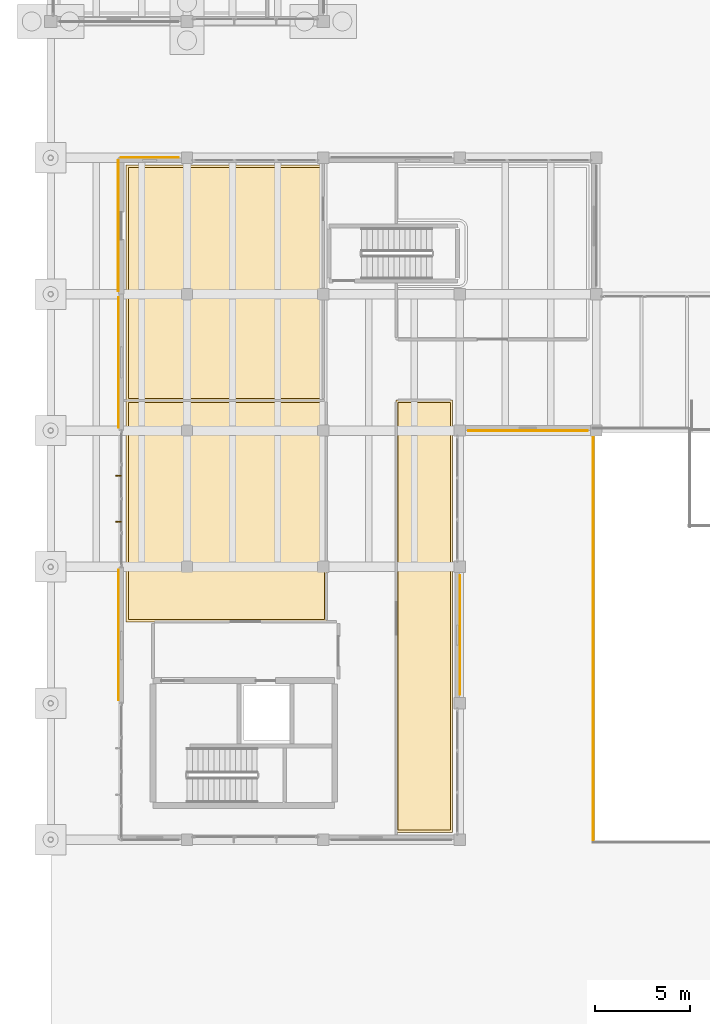
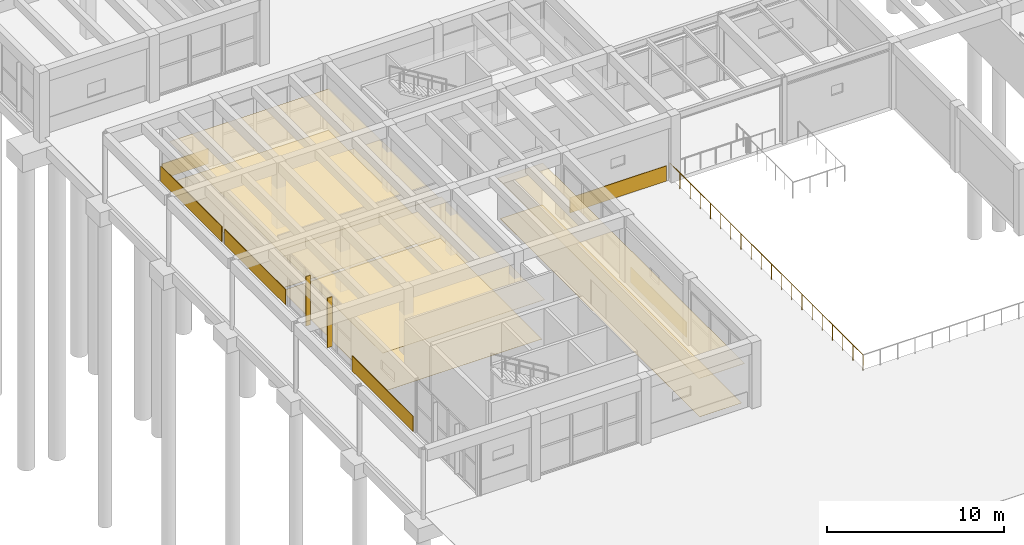
# One storey, part 133 of 155: 12 coverings, 2 shading devices, 1 railing.
"""IFC4 building model written with IfcOpenShell, lengths in metres."""

from ifc_helpers import new_model, si_unit, direction, frame, origin, origin_2d, place, context, subcontext, project, spatial, polyline, rectangle, circle, outline, extrude, material, layer, layer_set, type_object, element, save


model = new_model("IFC4")

# Units and contexts
model_context = context("Model", 3, precision=1e-05, world=origin(), true_north=direction((0.0, 1.0)))
body_context = subcontext(model_context, "Body", "Model", "MODEL_VIEW")
ifc_project = project(units=[si_unit("LENGTHUNIT", "METRE"), si_unit("AREAUNIT", "SQUARE_METRE"), si_unit("VOLUMEUNIT", "CUBIC_METRE"), si_unit("PLANEANGLEUNIT", "RADIAN"), si_unit("MASSUNIT", "GRAM", prefix="KILO")], contexts=[model_context])

# Site, building, storey
site_placement = place(None, origin())
site = spatial("IfcSite", under=ifc_project, at=site_placement, CompositionType="ELEMENT")
building_placement = place(site_placement, origin())
building = spatial("IfcBuilding", under=site, at=building_placement, Name="Bramvelor Terrace Health Centre", CompositionType="ELEMENT")
storey_placement = place(building_placement, origin())
storey = spatial("IfcBuildingStorey", under=building, at=storey_placement, Name="L01", CompositionType="ELEMENT", Elevation=0.0)

# Coverings
ifc_material_1 = material(Name="Honed volcanic tuff rainscreen stone", Category="masonry")
ifc_layer_1 = layer(ifc_material_1, 0.0400390625)
ifc_layer_set_1 = layer_set([ifc_layer_1], Name="Honed volcanic tuff rainscreen stone")
covering_type_1 = type_object("IfcCoveringType", Name="COV-CLAD-TUF", PredefinedType="CLADDING", material=ifc_layer_set_1)
covering_1_placement = place(storey_placement, frame((25.199951171875, 50.385009765625, 0.02490234375), z_axis=(0.0, 0.0, 1.0), x_axis=(1.0, 0.0, 0.0)))
element("IfcCovering", 1, at=covering_1_placement, inside=storey, type_object=covering_type_1, Name="L01 Volcanic Tuff Rainscreen Spandrel 1", PredefinedType="CLADDING", context=body_context, shape_type="SweptSolid", body=[
    extrude(rectangle(XDim=6.31005859375, YDim=0.0400390625, at=origin_2d()), origin(), (0.0, 0.0, 1.0), 1.050048828125),
])
covering_2_placement = place(storey_placement, frame((21.614990234375, 39.60009765625, 0.02490234375), z_axis=(0.0, 0.0, 1.0), x_axis=(1.0, 0.0, 0.0)))
element("IfcCovering", 2, at=covering_2_placement, inside=storey, type_object=covering_type_1, Name="L01 Volcanic Tuff Rainscreen Spandrel 2", PredefinedType="CLADDING", context=body_context, shape_type="SweptSolid", body=[
    extrude(rectangle(XDim=0.0400390625, YDim=6.31005859375, at=origin_2d()), origin(), (0.0, 0.0, 1.0), 1.050048828125),
])
for number, where, z_axis, x_axis, name in (
    (3, (3.5849609375, 39.60009765625, 0.02490234375), (0.0, 0.0, 1.0), (1.0, 0.0, 0.0), "L01 Volcanic Tuff Rainscreen Spandrel 5"),
    (4, (3.5849609375, 54.0, 0.02490234375), (0.0, 0.0, 1.0), (1.0, 0.0, 0.0), "L01 Volcanic Tuff Rainscreen Spandrel 6"),
):
    element("IfcCovering", number, at=place(storey_placement, frame(where, z_axis=z_axis, x_axis=x_axis)), inside=storey, type_object=covering_type_1, Name=name, PredefinedType="CLADDING", context=body_context, shape_type="SweptSolid", body=[
        extrude(rectangle(XDim=0.0400390625, YDim=6.89990234375, at=origin_2d()), origin(), (0.0, 0.0, 1.0), 1.050048828125),
    ])
covering_3_placement = place(storey_placement, frame((3.570068359375, 61.2099609375, 0.02490234375), z_axis=(0.0, 0.0, 1.0), x_axis=(1.0, 0.0, 0.0)))
element("IfcCovering", 5, at=covering_3_placement, inside=storey, type_object=covering_type_1, Name="L01 Volcanic Tuff Rainscreen Spandrel 7", PredefinedType="CLADDING", context=body_context, shape_type="SweptSolid", body=[
    extrude(rectangle(XDim=0.0400390625, YDim=6.919921875, at=origin_2d()), origin(), (0.0, 0.0, 1.0), 1.050048828125),
])
covering_4_placement = place(storey_placement, frame((5.232421875, 64.81494140625, 0.02490234375), z_axis=(0.0, 0.0, 1.0), x_axis=(1.0, 0.0, 0.0)))
element("IfcCovering", 6, at=covering_4_placement, inside=storey, type_object=covering_type_1, Name="L01 Volcanic Tuff Rainscreen Spandrel 8", PredefinedType="CLADDING", context=body_context, shape_type="SweptSolid", body=[
    extrude(rectangle(XDim=3.044921875, YDim=0.0400390625, at=origin_2d()), origin(), (0.0, 0.0, 1.0), 1.050048828125),
])
ifc_material_2 = material(Name="Hygienic mineral-fibre acoustic ceiling", Category="gypsum")
ifc_layer_2 = layer(ifc_material_2, 0.02001953125)
ifc_layer_set_2 = layer_set([ifc_layer_2], Name="Hygienic mineral-fibre acoustic ceiling")
covering_type_2 = type_object("IfcCoveringType", Name="COV-CLG-ACT", PredefinedType="CEILING", material=ifc_layer_set_2)
covering_5_placement = place(storey_placement, frame((0.0, 0.0, 2.75)))
element("IfcCovering", 7, at=covering_5_placement, inside=storey, type_object=covering_type_2, Name="L01 Outpatient Pharmacy Dispensary Acoustic Ceiling", PredefinedType="CEILING", context=body_context, shape_type="SweptSolid", body=[
    extrude(outline(polyline([(3.97998046875, 51.989990234375), (3.97998046875, 51.991943359375), (3.98046875, 51.993896484375), (3.98095703125, 51.995849609375), (3.9814453125, 51.997802734375), (3.982421875, 51.99951171875), (3.9833984375, 52.001220703125), (3.984619140625, 52.002685546875), (3.98583984375, 52.004150390625), (3.9873046875, 52.005615234375), (3.989013671875, 52.006591796875), (3.990478515625, 52.007568359375), (3.9921875, 52.008544921875), (3.994140625, 52.009033203125), (3.99609375, 52.009521484375), (3.998046875, 52.010009765625), (4.0, 52.010009765625), (14.55810546875, 52.010009765625), (14.56005859375, 52.010009765625), (14.56201171875, 52.009521484375), (14.563720703125, 52.009033203125), (14.565673828125, 52.008544921875), (14.5673828125, 52.007568359375), (14.569091796875, 52.006591796875), (14.57080078125, 52.005615234375), (14.572021484375, 52.004150390625), (14.573486328125, 52.002685546875), (14.57470703125, 52.001220703125), (14.57568359375, 51.99951171875), (14.576416015625, 51.997802734375), (14.5771484375, 51.995849609375), (14.57763671875, 51.993896484375), (14.577880859375, 51.991943359375), (14.577880859375, 51.989990234375), (14.577880859375, 40.31005859375), (14.577880859375, 40.30810546875), (14.57763671875, 40.30615234375), (14.5771484375, 40.30419921875), (14.576416015625, 40.30224609375), (14.57568359375, 40.300537109375), (14.57470703125, 40.298828125), (14.573486328125, 40.29736328125), (14.572021484375, 40.2958984375), (14.57080078125, 40.29443359375), (14.569091796875, 40.29345703125), (14.5673828125, 40.29248046875), (14.565673828125, 40.29150390625), (14.563720703125, 40.291015625), (14.56201171875, 40.290283203125), (14.56005859375, 40.2900390625), (14.55810546875, 40.2900390625), (4.0, 40.2900390625), (3.998046875, 40.2900390625), (3.99609375, 40.290283203125), (3.994140625, 40.291015625), (3.9921875, 40.29150390625), (3.990478515625, 40.29248046875), (3.989013671875, 40.29345703125), (3.9873046875, 40.29443359375), (3.98583984375, 40.2958984375), (3.984619140625, 40.29736328125), (3.9833984375, 40.298828125), (3.982421875, 40.300537109375), (3.9814453125, 40.30224609375), (3.98095703125, 40.30419921875), (3.98046875, 40.30615234375), (3.97998046875, 40.30810546875), (3.97998046875, 40.31005859375), (3.97998046875, 51.989990234375)])), origin(), (0.0, 0.0, 1.0), 0.02001953125),
])
covering_6_placement = place(storey_placement, frame((0.0, 0.0, 2.75)))
element("IfcCovering", 8, at=covering_6_placement, inside=storey, type_object=covering_type_2, Name="L01 Clinical Immunization Dispensary Acoustic Ceiling", PredefinedType="CEILING", context=body_context, shape_type="SweptSolid", body=[
    extrude(outline(polyline([(3.97998046875, 64.39990234375), (3.97998046875, 64.402099609375), (3.98046875, 64.40380859375), (3.98095703125, 64.40576171875), (3.9814453125, 64.40771484375), (3.982421875, 64.409423828125), (3.9833984375, 64.4111328125), (3.984619140625, 64.41259765625), (3.98583984375, 64.4140625), (3.9873046875, 64.41552734375), (3.989013671875, 64.41650390625), (3.990478515625, 64.41748046875), (3.9921875, 64.41845703125), (3.994140625, 64.419189453125), (3.99609375, 64.419677734375), (3.998046875, 64.419921875), (4.0, 64.419921875), (14.39990234375, 64.419921875), (14.402099609375, 64.419921875), (14.40380859375, 64.419677734375), (14.40576171875, 64.419189453125), (14.40771484375, 64.41845703125), (14.409423828125, 64.41748046875), (14.4111328125, 64.41650390625), (14.41259765625, 64.41552734375), (14.4140625, 64.4140625), (14.41552734375, 64.41259765625), (14.41650390625, 64.4111328125), (14.41748046875, 64.409423828125), (14.41845703125, 64.40771484375), (14.419189453125, 64.40576171875), (14.419677734375, 64.40380859375), (14.419921875, 64.402099609375), (14.419921875, 64.39990234375), (14.419921875, 52.0), (14.419921875, 51.998046875), (14.419677734375, 51.99609375), (14.419189453125, 51.994140625), (14.41845703125, 51.9921875), (14.41748046875, 51.990478515625), (14.41650390625, 51.989013671875), (14.41552734375, 51.9873046875), (14.4140625, 51.98583984375), (14.41259765625, 51.984619140625), (14.4111328125, 51.9833984375), (14.409423828125, 51.982421875), (14.40771484375, 51.9814453125), (14.40576171875, 51.98095703125), (14.40380859375, 51.98046875), (14.402099609375, 51.97998046875), (14.39990234375, 51.97998046875), (4.0, 51.97998046875), (3.998046875, 51.97998046875), (3.99609375, 51.98046875), (3.994140625, 51.98095703125), (3.9921875, 51.9814453125), (3.990478515625, 51.982421875), (3.989013671875, 51.9833984375), (3.9873046875, 51.984619140625), (3.98583984375, 51.98583984375), (3.984619140625, 51.9873046875), (3.9833984375, 51.989013671875), (3.982421875, 51.990478515625), (3.9814453125, 51.9921875), (3.98095703125, 51.994140625), (3.98046875, 51.99609375), (3.97998046875, 51.998046875), (3.97998046875, 52.0), (3.97998046875, 64.39990234375)])), origin(), (0.0, 0.0, 1.0), 0.02001953125),
])
covering_7_placement = place(storey_placement, frame((0.0, 0.0, 2.75)))
element("IfcCovering", 9, at=covering_7_placement, inside=storey, type_object=covering_type_2, Name="L01 Pharmacy Medication Counselling Room Acoustic Ceiling", PredefinedType="CEILING", context=body_context, shape_type="SweptSolid", body=[
    extrude(outline(polyline([(21.199951171875, 52.010009765625), (21.201904296875, 52.010009765625), (21.203857421875, 52.009521484375), (21.205810546875, 52.009033203125), (21.207763671875, 52.008544921875), (21.20947265625, 52.007568359375), (21.211181640625, 52.006591796875), (21.212646484375, 52.005615234375), (21.214111328125, 52.004150390625), (21.215576171875, 52.002685546875), (21.216552734375, 52.001220703125), (21.217529296875, 51.99951171875), (21.218505859375, 51.997802734375), (21.218994140625, 51.995849609375), (21.219482421875, 51.993896484375), (21.219970703125, 51.991943359375), (21.219970703125, 51.989990234375), (21.219970703125, 29.199951171875), (21.219970703125, 29.197998046875), (21.219482421875, 29.196044921875), (21.218994140625, 29.194091796875), (21.218505859375, 29.1923828125), (21.217529296875, 29.190673828125), (21.216552734375, 29.18896484375), (21.215576171875, 29.187255859375), (21.214111328125, 29.185791015625), (21.212646484375, 29.1845703125), (21.211181640625, 29.183349609375), (21.20947265625, 29.182373046875), (21.207763671875, 29.181396484375), (21.205810546875, 29.180908203125), (21.203857421875, 29.180419921875), (21.201904296875, 29.18017578125), (21.199951171875, 29.179931640625), (18.251953125, 29.179931640625), (18.25, 29.18017578125), (18.248046875, 29.180419921875), (18.24609375, 29.180908203125), (18.244384765625, 29.181396484375), (18.24267578125, 29.182373046875), (18.240966796875, 29.183349609375), (18.2392578125, 29.1845703125), (18.23779296875, 29.185791015625), (18.236572265625, 29.187255859375), (18.2353515625, 29.18896484375), (18.234375, 29.190673828125), (18.2333984375, 29.1923828125), (18.23291015625, 29.194091796875), (18.232421875, 29.196044921875), (18.232177734375, 29.197998046875), (18.23193359375, 29.199951171875), (18.23193359375, 51.989990234375), (18.232177734375, 51.991943359375), (18.232421875, 51.993896484375), (18.23291015625, 51.995849609375), (18.2333984375, 51.997802734375), (18.234375, 51.99951171875), (18.2353515625, 52.001220703125), (18.236572265625, 52.002685546875), (18.23779296875, 52.004150390625), (18.2392578125, 52.005615234375), (18.240966796875, 52.006591796875), (18.24267578125, 52.007568359375), (18.244384765625, 52.008544921875), (18.24609375, 52.009033203125), (18.248046875, 52.009521484375), (18.25, 52.010009765625), (18.251953125, 52.010009765625), (21.199951171875, 52.010009765625)])), origin(), (0.0, 0.0, 1.0), 0.02001953125),
])
ifc_material_3 = material(Name="Seamless antimicrobial clinical vinyl", Category="polymer")
ifc_layer_3 = layer(ifc_material_3, 0.008056640625)
ifc_layer_set_3 = layer_set([ifc_layer_3], Name="Seamless antimicrobial clinical vinyl")
covering_type_3 = type_object("IfcCoveringType", Name="COV-FLR-VNL", PredefinedType="FLOORING", material=ifc_layer_set_3)
covering_8_placement = place(storey_placement, origin())
element("IfcCovering", 10, at=covering_8_placement, inside=storey, type_object=covering_type_3, Name="L01 Outpatient Pharmacy Dispensary Clinical Vinyl Flooring", PredefinedType="FLOORING", context=body_context, shape_type="SweptSolid", body=[
    extrude(outline(polyline([(4.10009765625, 51.889892578125), (14.4580078125, 51.889892578125), (14.4580078125, 40.409912109375), (4.10009765625, 40.409912109375), (4.10009765625, 51.889892578125)])), origin(), (0.0, 0.0, 1.0), 0.008056640625),
])
covering_9_placement = place(storey_placement, origin())
element("IfcCovering", 11, at=covering_9_placement, inside=storey, type_object=covering_type_3, Name="L01 Clinical Immunization Dispensary Clinical Vinyl Flooring", PredefinedType="FLOORING", context=body_context, shape_type="SweptSolid", body=[
    extrude(outline(polyline([(4.10009765625, 64.300048828125), (14.300048828125, 64.300048828125), (14.300048828125, 52.10009765625), (4.10009765625, 52.10009765625), (4.10009765625, 64.300048828125)])), origin(), (0.0, 0.0, 1.0), 0.008056640625),
])
covering_10_placement = place(storey_placement, origin())
element("IfcCovering", 12, at=covering_10_placement, inside=storey, type_object=covering_type_3, Name="L01 Pharmacy Medication Counselling Room Clinical Vinyl Flooring", PredefinedType="FLOORING", context=body_context, shape_type="SweptSolid", body=[
    extrude(outline(polyline([(21.10009765625, 51.889892578125), (21.10009765625, 29.300048828125), (18.35205078125, 29.300048828125), (18.35205078125, 51.889892578125), (21.10009765625, 51.889892578125)])), origin(), (0.0, 0.0, 1.0), 0.008056640625),
])

# Railing
ifc_material_4 = material(Name="Laminated safety glass and stainless steel", Category="steel")
railing_type = type_object("IfcRailingType", Name="RLG-TER-1100", PredefinedType="BALUSTRADE", material=ifc_material_4)
railing_placement = place(storey_placement, frame((28.64990234375, 28.64990234375, 0.0)))
element("IfcRailing", 13, at=railing_placement, inside=storey, type_object=railing_type, Name="L01 Sunken Forecourt Rim Balustrade 3", PredefinedType="BALUSTRADE", context=body_context, shape_type="SweptSolid", body=[
    extrude(circle(Radius=0.02392578125, at=origin_2d()), frame((0.0, 0.0, 1.076171875), z_axis=(0.0, 1.0, 0.0), x_axis=(-1.0, 0.0, 0.0)), (0.0, 0.0, 1.0), 21.8701171875),
    extrude(circle(Radius=0.02099609375, at=origin_2d()), origin(), (0.0, 0.0, 1.0), 1.052001953125),
    extrude(circle(Radius=0.02099609375, at=origin_2d()), frame((0.0, 1.151123046875, 0.0)), (0.0, 0.0, 1.0), 1.052001953125),
    extrude(circle(Radius=0.02099609375, at=origin_2d()), frame((0.0, 2.302001953125, 0.0)), (0.0, 0.0, 1.0), 1.052001953125),
    extrude(circle(Radius=0.02099609375, at=origin_2d()), frame((0.0, 3.453125, 0.0)), (0.0, 0.0, 1.0), 1.052001953125),
    extrude(circle(Radius=0.02099609375, at=origin_2d()), frame((0.0, 4.604248046875, 0.0)), (0.0, 0.0, 1.0), 1.052001953125),
    extrude(circle(Radius=0.02099609375, at=origin_2d()), frame((0.0, 5.75537109375, 0.0)), (0.0, 0.0, 1.0), 1.052001953125),
    extrude(circle(Radius=0.02099609375, at=origin_2d()), frame((0.0, 6.90625, 0.0)), (0.0, 0.0, 1.0), 1.052001953125),
    extrude(circle(Radius=0.02099609375, at=origin_2d()), frame((0.0, 8.057373046875, 0.0)), (0.0, 0.0, 1.0), 1.052001953125),
    extrude(circle(Radius=0.02099609375, at=origin_2d()), frame((0.0, 9.20849609375, 0.0)), (0.0, 0.0, 1.0), 1.052001953125),
    extrude(circle(Radius=0.02099609375, at=origin_2d()), frame((0.0, 10.359619140625, 0.0)), (0.0, 0.0, 1.0), 1.052001953125),
    extrude(circle(Radius=0.02099609375, at=origin_2d()), frame((0.0, 11.510498046875, 0.0)), (0.0, 0.0, 1.0), 1.052001953125),
    extrude(circle(Radius=0.02099609375, at=origin_2d()), frame((0.0, 12.66162109375, 0.0)), (0.0, 0.0, 1.0), 1.052001953125),
    extrude(circle(Radius=0.02099609375, at=origin_2d()), frame((0.0, 13.812744140625, 0.0)), (0.0, 0.0, 1.0), 1.052001953125),
    extrude(circle(Radius=0.02099609375, at=origin_2d()), frame((0.0, 14.9638671875, 0.0)), (0.0, 0.0, 1.0), 1.052001953125),
    extrude(circle(Radius=0.02099609375, at=origin_2d()), frame((0.0, 16.11474609375, 0.0)), (0.0, 0.0, 1.0), 1.052001953125),
    extrude(circle(Radius=0.02099609375, at=origin_2d()), frame((0.0, 17.265869140625, 0.0)), (0.0, 0.0, 1.0), 1.052001953125),
    extrude(circle(Radius=0.02099609375, at=origin_2d()), frame((0.0, 18.4169921875, 0.0)), (0.0, 0.0, 1.0), 1.052001953125),
    extrude(circle(Radius=0.02099609375, at=origin_2d()), frame((0.0, 19.568115234375, 0.0)), (0.0, 0.0, 1.0), 1.052001953125),
    extrude(circle(Radius=0.02099609375, at=origin_2d()), frame((0.0, 20.718994140625, 0.0)), (0.0, 0.0, 1.0), 1.052001953125),
    extrude(circle(Radius=0.02099609375, at=origin_2d()), frame((0.0, 21.8701171875, 0.0)), (0.0, 0.0, 1.0), 1.052001953125),
])

# Shading devices
ifc_material_5 = material(Name="Anodized aluminium 6063-T6", Category="aluminium")
ifc_layer_4 = layer(ifc_material_5, 0.050048828125)
ifc_layer_set_4 = layer_set([ifc_layer_4], Name="Anodized aluminium 6063-T6")
shading_device_type = type_object("IfcShadingDeviceType", Name="SHD-FIN-300", PredefinedType="JALOUSIE", material=ifc_layer_set_4)
for number, where, z_axis, x_axis, name in (
    (14, (3.580078125, 45.575927734375, 0.150146484375), (0.0, 0.0, 1.0), (1.0, 0.0, 0.0), "L01 Solar Shading Louvre Fin 7"),
    (15, (3.580078125, 48.02392578125, 0.150146484375), (0.0, 0.0, 1.0), (1.0, 0.0, 0.0), "L01 Solar Shading Louvre Fin 8"),
):
    element("IfcShadingDevice", number, at=place(storey_placement, frame(where, z_axis=z_axis, x_axis=x_axis)), inside=storey, type_object=shading_device_type, Name=name, PredefinedType="JALOUSIE", context=body_context, shape_type="SweptSolid", body=[
        extrude(rectangle(XDim=0.300048828125, YDim=0.050048828125, at=origin_2d()), origin(), (0.0, 0.0, 1.0), 3.419921875),
    ])

save(model, "model.ifc")
